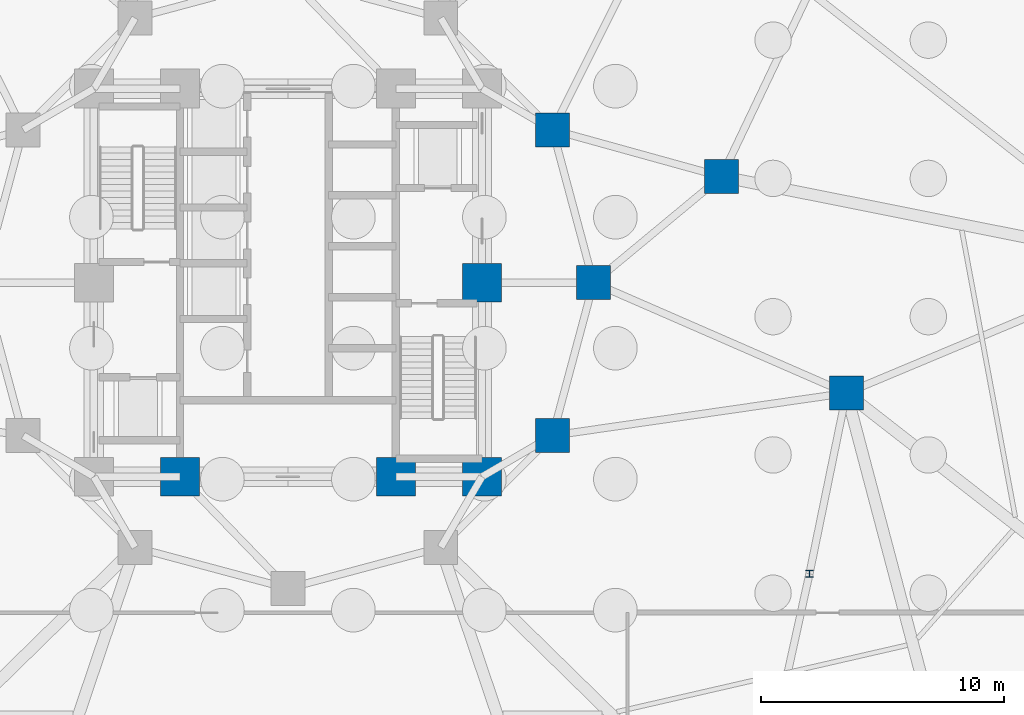
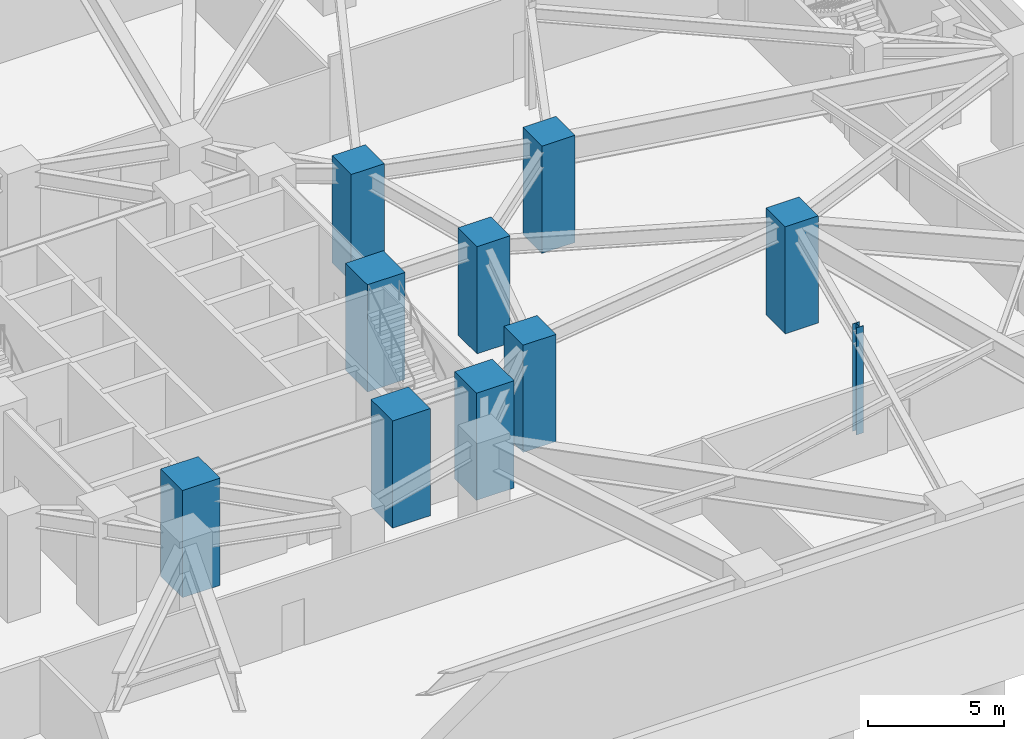
# One storey, part 4 of 20: 10 columns.
"""IFC4 building model written with IfcOpenShell, lengths in metres."""

from ifc_helpers import new_model, si_unit, direction, frame, origin, origin_2d, place, context, subcontext, project, spatial, rectangle, i_section, extrude, material, material_profile, profile_set, type_object, element, save


model = new_model("IFC4")

# Units and contexts
model_context = context("Model", 3, precision=1e-05, world=origin(), true_north=direction((0.0, 1.0)))
body_context = subcontext(model_context, "Body", "Model", "MODEL_VIEW")
ifc_project = project(units=[si_unit("LENGTHUNIT", "METRE"), si_unit("AREAUNIT", "SQUARE_METRE"), si_unit("VOLUMEUNIT", "CUBIC_METRE"), si_unit("PLANEANGLEUNIT", "RADIAN"), si_unit("MASSUNIT", "GRAM", prefix="KILO")], contexts=[model_context])

# Site, building, storey
site_placement = place(None, origin())
site = spatial("IfcSite", under=ifc_project, at=site_placement, CompositionType="ELEMENT")
building_placement = place(site_placement, origin())
building = spatial("IfcBuilding", under=site, at=building_placement, Name="Terralouvre Media Tower", CompositionType="ELEMENT")
storey_placement = place(building_placement, frame((0.0, 0.0, -9.60009765625)))
storey = spatial("IfcBuildingStorey", under=building, at=storey_placement, Name="B02", CompositionType="ELEMENT", Elevation=-9.60009765625)

# Columns
ifc_material_1 = material(Name="Structural steel S355J2", Category="steel")
ifc_material_profile_1 = material_profile(ifc_material_1, i_section(OverallWidth=0.300048828125, OverallDepth=0.300048828125, WebThickness=0.010986328125, FlangeThickness=0.01904296875, at=origin_2d()), Name="HEB 300")
ifc_profile_set_1 = profile_set([ifc_material_profile_1], Name="Structural steel S355J2")
column_type_1 = type_object("IfcColumnType", Name="Basement Aisle Pilaster PL-HEB300 (HEB 300)", PredefinedType="PILASTER", material=ifc_profile_set_1)
column_placement = place(storey_placement, frame((21.5, -12.0, 0.0), z_axis=(0.0, 0.0, 1.0), x_axis=(1.0, 0.0, 0.0)))
element("IfcColumn", 1, at=column_placement, inside=storey, type_object=column_type_1, Name="B02 Car-Park Aisle Pilaster A2", PredefinedType="PILASTER", context=body_context, shape_type="SweptSolid", body=[
    extrude(i_section(OverallWidth=0.300048828125, OverallDepth=0.300048828125, WebThickness=0.010986328125, FlangeThickness=0.01904296875, at=origin_2d()), origin(), (0.0, 0.0, 1.0), 4.800048828125),
])
ifc_material_2 = material(Name="Concrete C60/75", Category="concrete")
ifc_material_profile_2 = material_profile(ifc_material_2, rectangle(XDim=1.39990234375, YDim=1.39990234375, at=origin_2d()), Name="RC 1400x1400")
ifc_profile_set_2 = profile_set([ifc_material_profile_2], Name="Concrete C60/75")
column_type_2 = type_object("IfcColumnType", Name="Structural Column C-RC1400 (RC 1400x1400)", PredefinedType="COLUMN", material=ifc_profile_set_2)
for number, where, z_axis, x_axis, name in (
    (2, (12.60009765625, 0.0, 0.0), (0.0, 0.0, 1.0), (1.0, 0.0, 0.0), "B02 Mega-Frame Column MC01"),
    (3, (10.911865234375, 6.300048828125, 0.0), (0.0, 0.0, 1.0), (1.0, 0.0, 0.0), "B02 Mega-Frame Column MC02"),
    (4, (10.911865234375, -6.300048828125, 0.0), (0.0, 0.0, 1.0), (1.0, 0.0, 0.0), "B02 Mega-Frame Column MC12"),
    (5, (23.02490234375, -4.546630859375, 0.0), (0.0, 0.0, 1.0), (1.0, 0.0, 0.0), "B02 Podium Transfer Column PM21"),
    (6, (17.874755859375, 4.373291015625, 0.0), (0.0, 0.0, 1.0), (1.0, 0.0, 0.0), "B02 Podium Transfer Column PM22"),
):
    element("IfcColumn", number, at=place(storey_placement, frame(where, z_axis=z_axis, x_axis=x_axis)), inside=storey, type_object=column_type_2, Name=name, PredefinedType="COLUMN", context=body_context, shape_type="SweptSolid", body=[
        extrude(rectangle(XDim=1.39990234375, YDim=1.39990234375, at=origin_2d()), origin(), (0.0, 0.0, 1.0), 4.800048828125),
    ])
ifc_material_3 = material(Name="Concrete C60/75", Category="concrete")
ifc_material_profile_3 = material_profile(ifc_material_3, rectangle(XDim=1.60009765625, YDim=1.60009765625, at=origin_2d()), Name="RC 1600x1600")
ifc_profile_set_3 = profile_set([ifc_material_profile_3], Name="Concrete C60/75")
column_type_3 = type_object("IfcColumnType", Name="Structural Column C-RC1600 (RC 1600x1600)", PredefinedType="COLUMN", material=ifc_profile_set_3)
for number, where, z_axis, x_axis, name in (
    (7, (-4.449951171875, -8.0, 0.0), (0.0, 0.0, 1.0), (1.0, 0.0, 0.0), "B02 Core Pilaster Column CP2"),
    (8, (4.449951171875, -8.0, 0.0), (0.0, 0.0, 1.0), (1.0, 0.0, 0.0), "B02 Core Pilaster Column CP10"),
    (9, (8.0, -8.0, 0.0), (0.0, 0.0, 1.0), (1.0, 0.0, 0.0), "B02 Core Pilaster Column CP3"),
    (10, (8.0, 0.0, 0.0), (0.0, 0.0, 1.0), (1.0, 0.0, 0.0), "B02 Core Pilaster Column CP4"),
):
    element("IfcColumn", number, at=place(storey_placement, frame(where, z_axis=z_axis, x_axis=x_axis)), inside=storey, type_object=column_type_3, Name=name, PredefinedType="COLUMN", context=body_context, shape_type="SweptSolid", body=[
        extrude(rectangle(XDim=1.60009765625, YDim=1.60009765625, at=origin_2d()), origin(), (0.0, 0.0, 1.0), 4.800048828125),
    ])

save(model, "model.ifc")
